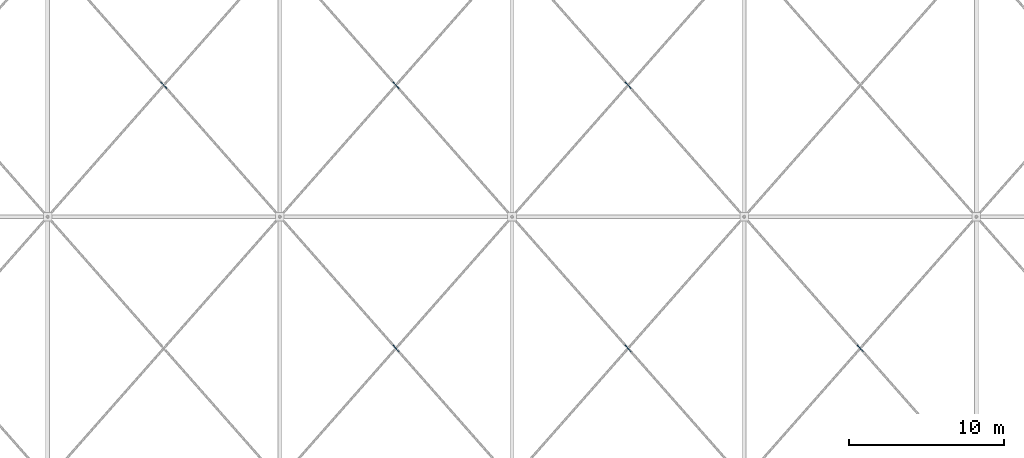
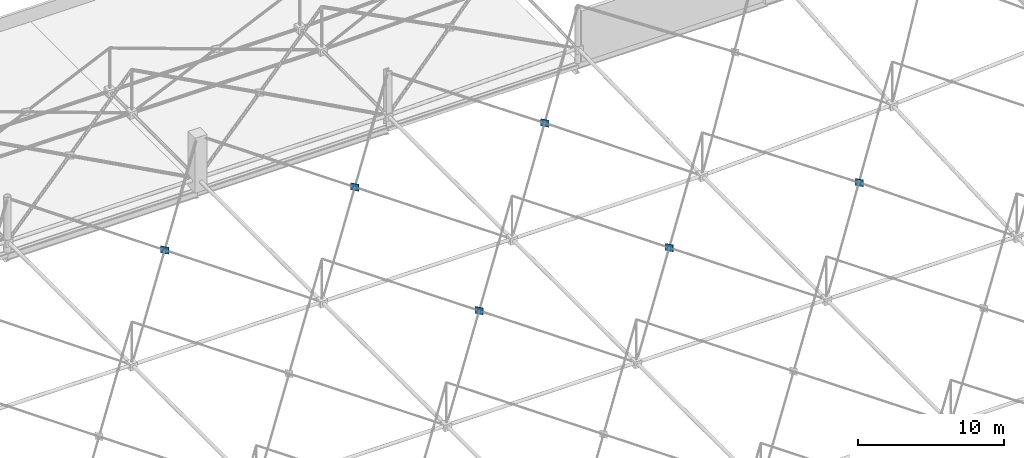
# One storey, part 186 of 224: 6 plates.
"""IFC4 building model written with IfcOpenShell, lengths in metres."""

from ifc_helpers import new_model, si_unit, direction, frame, origin, origin_2d, place, context, subcontext, project, spatial, rectangle, extrude, material, layer, layer_set, type_object, element, save


model = new_model("IFC4")

# Units and contexts
model_context = context("Model", 3, precision=1e-05, world=origin(), true_north=direction((0.0, 1.0)))
body_context = subcontext(model_context, "Body", "Model", "MODEL_VIEW")
ifc_project = project(units=[si_unit("LENGTHUNIT", "METRE"), si_unit("AREAUNIT", "SQUARE_METRE"), si_unit("VOLUMEUNIT", "CUBIC_METRE"), si_unit("PLANEANGLEUNIT", "RADIAN"), si_unit("MASSUNIT", "GRAM", prefix="KILO")], contexts=[model_context])

# Site, building, storey
site_placement = place(None, origin())
site = spatial("IfcSite", under=ifc_project, at=site_placement, CompositionType="ELEMENT")
building_placement = place(site_placement, origin())
building = spatial("IfcBuilding", under=site, at=building_placement, Name="Qamarlyn Nura Convention Centre", CompositionType="ELEMENT")
storey_placement = place(building_placement, frame((0.0, 0.0, 10.800048828125)))
storey = spatial("IfcBuildingStorey", under=building, at=storey_placement, Name="L02", CompositionType="ELEMENT", Elevation=10.800048828125)

# Plates
ifc_material = material(Name="Structural steel ASTM A572 Grade 50", Category="steel")
ifc_layer = layer(ifc_material, 0.035888671875, Name="GP-SN1")
ifc_layer_set = layer_set([ifc_layer], Name="Structural steel ASTM A572 Grade 50")
plate_type = type_object("IfcPlateType", Name="GP-SN1", PredefinedType="USERDEFINED", material=ifc_layer_set)
for number, where, z_axis, x_axis, name in (
    (1, (52.5, 94.5, 2.309814453125), (0.0, 0.0, 1.0), (-0.661622086957, 0.749837458421, 0.0), "Space frame X-brace crossing gusset plate 5-6"),
    (2, (67.5, 77.5, 2.309814453125), (0.0, 0.0, 1.0), (-0.661622086957, 0.749837458421, 0.0), "Space frame X-brace crossing gusset plate 6-5"),
    (3, (67.5, 94.5, 2.309814453125), (0.0, 0.0, 1.0), (-0.661622086957, 0.749837458421, 0.0), "Space frame X-brace crossing gusset plate 6-6"),
    (4, (82.5, 77.5, 2.317138671875), (0.0, 0.0, 1.0), (-0.661622086957, 0.749837458421, 0.0), "Space frame X-brace crossing gusset plate 7-5"),
    (5, (82.5, 94.5, 2.40478515625), (0.0, 0.0, 1.0), (-0.661622086957, 0.749837458421, 0.0), "Space frame X-brace crossing gusset plate 7-6"),
    (6, (97.5, 77.5, 2.487548828125), (0.0, 0.0, 1.0), (-0.661622086957, 0.749837458421, 0.0), "Space frame X-brace crossing gusset plate 8-5"),
):
    element("IfcPlate", number, at=place(storey_placement, frame(where, z_axis=z_axis, x_axis=x_axis)), inside=storey, type_object=plate_type, Name=name, ObjectType="GUSSET PLATE", PredefinedType="USERDEFINED", context=body_context, shape_type="SweptSolid", body=[
        extrude(rectangle(XDim=0.580078125, YDim=0.035888671875, at=origin_2d()), origin(), (0.0, 0.0, 1.0), 0.580078125),
    ])

save(model, "model.ifc")
